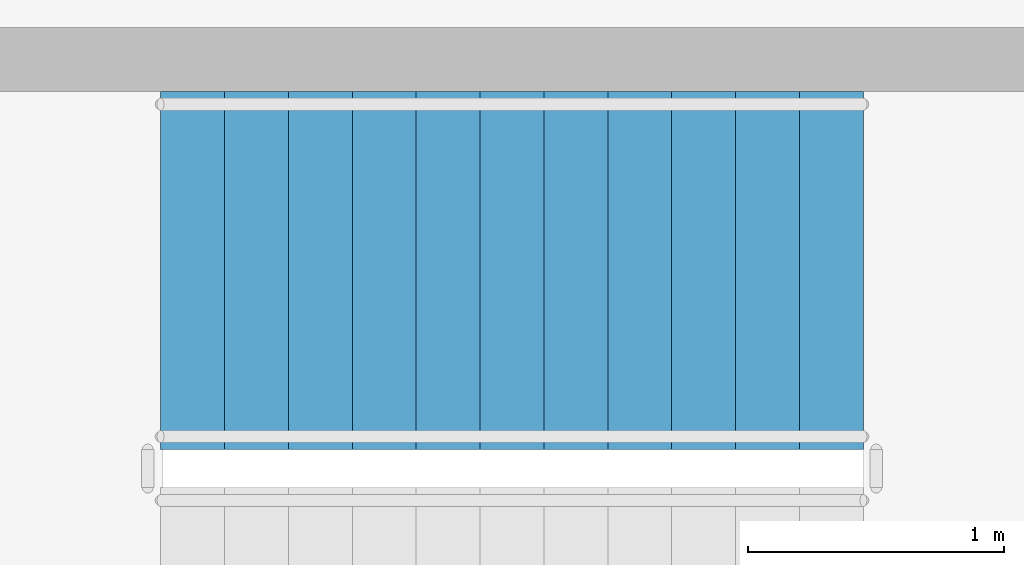
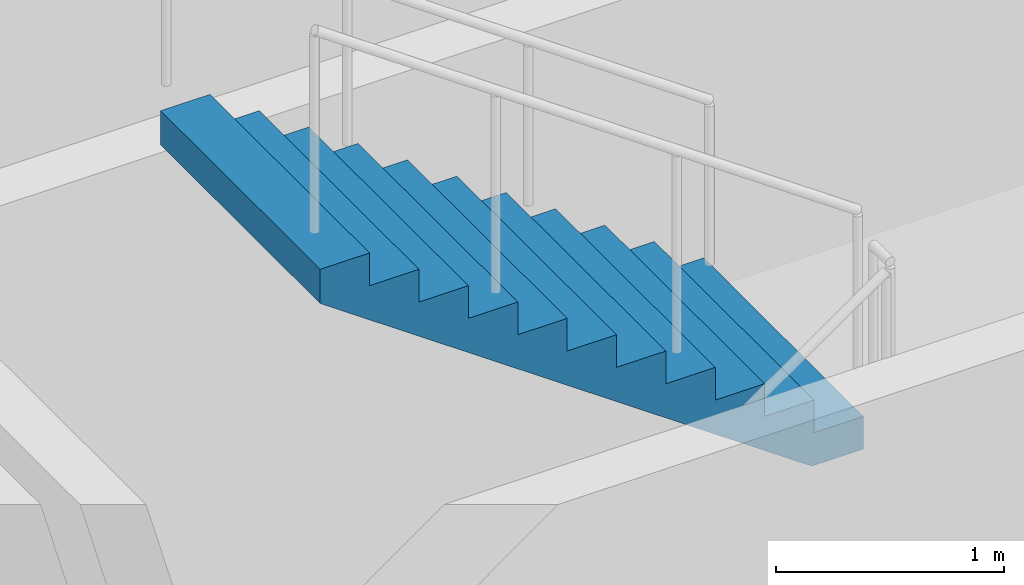
# One storey, part 12 of 16: 1 stair flight, 1 element without a shape of its own.
"""IFC4 building model written with IfcOpenShell, lengths in metres."""

from ifc_helpers import new_model, si_unit, direction, frame, origin, place, context, subcontext, project, spatial, polyline, outline, extrude, source, transform, mapped, material, type_object, element, aggregate, save


model = new_model("IFC4")

# Units and contexts
model_context = context("Model", 3, precision=1e-05, world=origin(), true_north=direction((0.0, 1.0)))
body_context = subcontext(model_context, "Body", "Model", "MODEL_VIEW")
ifc_project = project(units=[si_unit("LENGTHUNIT", "METRE"), si_unit("AREAUNIT", "SQUARE_METRE"), si_unit("VOLUMEUNIT", "CUBIC_METRE"), si_unit("PLANEANGLEUNIT", "RADIAN"), si_unit("MASSUNIT", "GRAM", prefix="KILO")], contexts=[model_context])

# Site, building, storey
site_placement = place(None, origin())
site = spatial("IfcSite", under=ifc_project, at=site_placement, CompositionType="ELEMENT")
building_placement = place(site_placement, origin())
building = spatial("IfcBuilding", under=site, at=building_placement, Name="Aurelian Terraces", CompositionType="ELEMENT")
storey_placement = place(building_placement, frame((0.0, 0.0, 95.1)))
storey = spatial("IfcBuildingStorey", under=building, at=storey_placement, Name="L20", CompositionType="ELEMENT", Elevation=95.1)

# Stair, stair flight
ifc_material = material(Name="Concrete fc' 40 MPa", Category="concrete")
stair_type = type_object("IfcStairType", Name="Stair 1400", PredefinedType="HALF_TURN_STAIR", material=ifc_material)
stair_placement = place(storey_placement, origin())
stair = element("IfcStair", 1, at=stair_placement, inside=storey, type_object=stair_type, Name="L20 S3", PredefinedType="HALF_TURN_STAIR")
stair_flight_type = type_object("IfcStairFlightType", Name="Stair flight 1400", PredefinedType="STRAIGHT", material=ifc_material)
shared_shape = source(origin(), body_context, "Body", "SweptSolid", [
    extrude(outline(polyline([(0.0, 0.0), (0.0, 0.175), (0.25, 0.175), (0.25, 0.35), (0.5, 0.35), (0.5, 0.525), (0.75, 0.525), (0.75, 0.7), (1.0, 0.7), (1.0, 0.875), (1.25, 0.875), (1.25, 1.05), (1.5, 1.05), (1.5, 1.225), (1.75, 1.225), (1.75, 1.4), (2.0, 1.4), (2.0, 1.575), (2.25, 1.575), (2.25, 1.75), (2.5, 1.75), (2.5, 1.925), (2.75, 1.925), (2.75, 2.1), (2.75, 1.7419), (0.2616, 0.0), (0.0, 0.0)])), frame((0.0, 0.7, 0.0), z_axis=(0.0, -1.0, 0.0), x_axis=(1.0, 0.0, 0.0)), (0.0, 0.0, 1.0), 1.4),
])
stair_flight_placement = place(storey_placement, frame((4.85, 42.9, 2.1000000200000084), z_axis=(0.0, 0.0, 1.0), x_axis=(-1.0, 0.0, 0.0)))
stair_flight = element("IfcStairFlight", 2, at=stair_flight_placement, type_object=stair_flight_type, Name="S3 flight 2", NumberOfRisers=12, NumberOfTreads=11, PredefinedType="STRAIGHT", RiserHeight=0.175, TreadLength=0.25, context=body_context, shape_type="MappedRepresentation", body=[
    mapped(shared_shape, transform((0.0, 0.0, 0.0), scale=1.0)),
])
aggregate(stair, [stair_flight])

save(model, "model.ifc")
